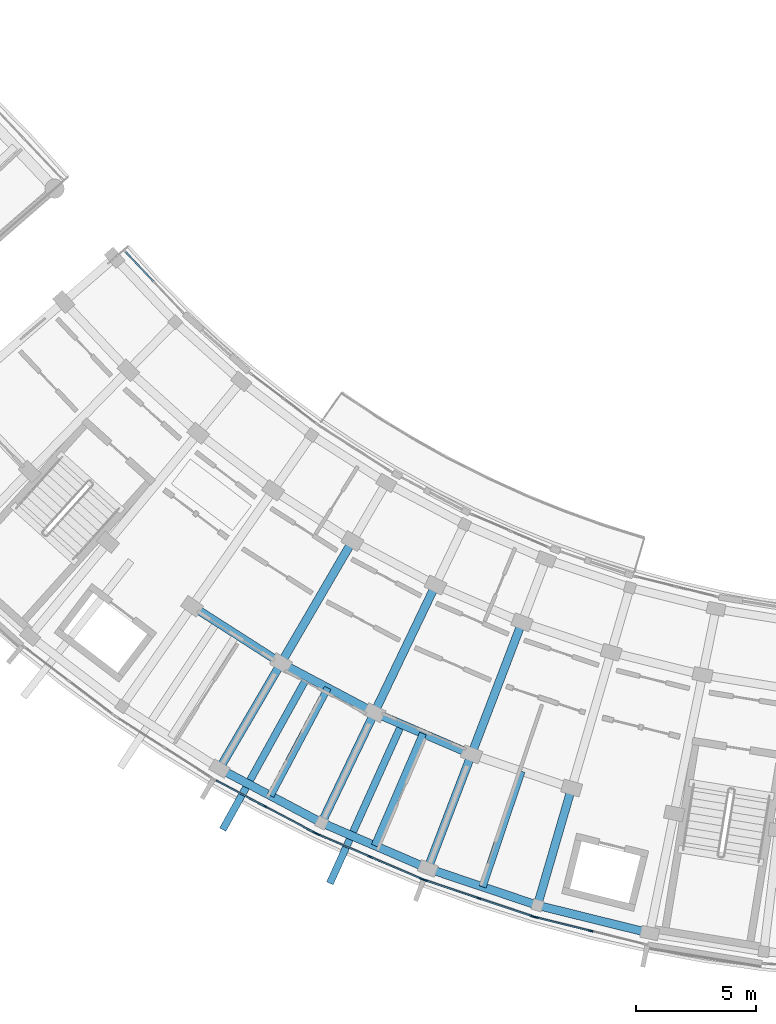
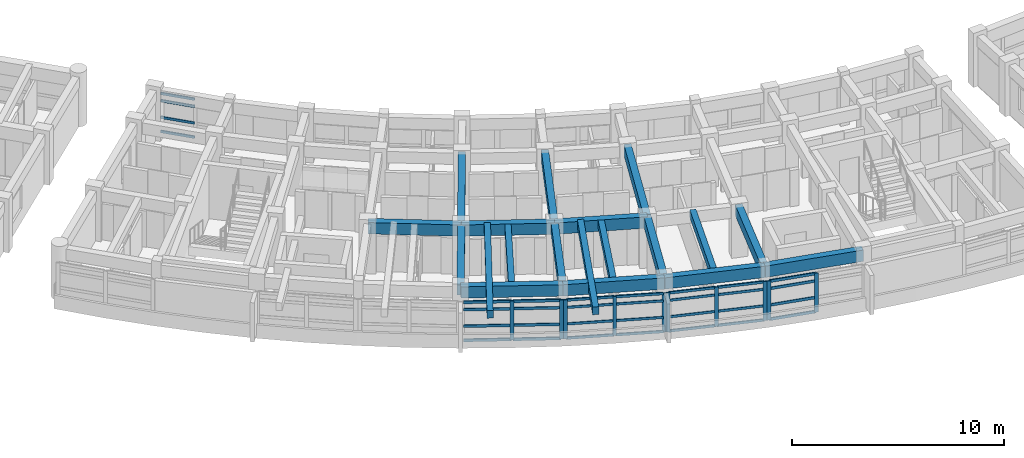
# One storey, part 11 of 56: 42 members, 19 beams, 5 elements without a shape of their own.
"""IFC4 building model written with IfcOpenShell, lengths in metres."""

from ifc_helpers import new_model, si_unit, direction, frame, origin, origin_2d, place, context, subcontext, project, spatial, rectangle, extrude, material, material_profile, profile_set, type_object, element, aggregate, save


model = new_model("IFC4")

# Units and contexts
model_context = context("Model", 3, precision=1e-05, world=origin(), true_north=direction((0.0, 1.0)))
body_context = subcontext(model_context, "Body", "Model", "MODEL_VIEW")
ifc_project = project(units=[si_unit("LENGTHUNIT", "METRE"), si_unit("AREAUNIT", "SQUARE_METRE"), si_unit("VOLUMEUNIT", "CUBIC_METRE"), si_unit("PLANEANGLEUNIT", "RADIAN"), si_unit("MASSUNIT", "GRAM", prefix="KILO")], contexts=[model_context])

# Site, building, storey
site_placement = place(None, origin())
site = spatial("IfcSite", under=ifc_project, at=site_placement, CompositionType="ELEMENT")
building_placement = place(site_placement, origin())
building = spatial("IfcBuilding", under=site, at=building_placement, Name="Zimvara Arc Housing Community", CompositionType="ELEMENT")
storey_placement = place(building_placement, frame((0.0, 0.0, 17.39990234375)))
storey = spatial("IfcBuildingStorey", under=building, at=storey_placement, Name="L05", CompositionType="ELEMENT", Elevation=17.39990234375)

# Beams
ifc_material_1 = material(Name="Concrete C40/50", Category="concrete")
ifc_material_profile_1 = material_profile(ifc_material_1, rectangle(XDim=0.300048828125, YDim=0.449951171875, at=origin_2d()), Name="RC 300x450")
ifc_profile_set_1 = profile_set([ifc_material_profile_1], Name="Concrete C40/50")
beam_type_1 = type_object("IfcBeamType", Name="BM-RC-300x450", PredefinedType="JOIST", material=ifc_profile_set_1)
for number, where, z_axis, x_axis, name in (
    (1, (100.793212890625, 62.37060546875, 2.64501953125), (-0.46853732736, -0.883443701019, 0.0), (0.883443701019, -0.46853732736, 0.0), "bm:blkC:L05:joist:b4"),
    (2, (104.751953125, 60.473876953125, 2.64501953125), (-0.394946561353, -0.918704094731, 0.0), (0.918704094731, -0.394946561353, 0.0), "bm:blkC:L05:joist:b5"),
    (3, (108.85205078125, 58.906494140625, 2.64501953125), (-0.318622196545, -0.947881794249, 0.0), (0.947881794249, -0.318622196545, 0.0), "bm:blkC:L05:joist:b6"),
):
    element("IfcBeam", number, at=place(storey_placement, frame(where, z_axis=z_axis, x_axis=x_axis)), inside=storey, type_object=beam_type_1, Name=name, PredefinedType="JOIST", context=body_context, shape_type="SweptSolid", body=[
        extrude(rectangle(XDim=0.300048828125, YDim=0.449951171875, at=origin_2d()), origin(), (0.0, 0.0, 1.0), 5.07568359375),
    ])
for number, where, z_axis, x_axis, name in (
    (4, (99.922119140625, 62.791748046875, 2.6650390625), (-0.4843274379, -0.874886811477, 0.0), (0.874886811477, -0.4843274379, 0.0), "bm:blkC:L05:cant_out:b4"),
    (5, (103.849365234375, 60.822509765625, 2.6650390625), (-0.411355676266, -0.91147490783, 0.0), (0.91147490783, -0.411355676266, 0.0), "bm:blkC:L05:cant_out:b5"),
):
    element("IfcBeam", number, at=place(storey_placement, frame(where, z_axis=z_axis, x_axis=x_axis)), inside=storey, type_object=beam_type_1, Name=name, PredefinedType="JOIST", context=body_context, shape_type="SweptSolid", body=[
        extrude(rectangle(XDim=0.300048828125, YDim=0.449951171875, at=origin_2d()), origin(), (0.0, 0.0, 1.0), 7.219970703125),
    ])
ifc_material_2 = material(Name="Concrete C40/50", Category="concrete")
ifc_material_profile_2 = material_profile(ifc_material_2, rectangle(XDim=0.35009765625, YDim=0.60009765625, at=origin_2d()), Name="RC 350x600")
ifc_profile_set_2 = profile_set([ifc_material_profile_2], Name="Concrete C40/50")
beam_type_2 = type_object("IfcBeamType", Name="BM-RC-350x600", PredefinedType="BEAM", material=ifc_profile_set_2)
beam_1_placement = place(storey_placement, frame((101.8173828125, 68.4775390625, 2.570068359375), z_axis=(-0.504237574462, -0.863564976421, 0.0), x_axis=(0.863564976421, -0.504237574462, 0.0)))
element("IfcBeam", 6, at=beam_1_placement, inside=storey, type_object=beam_type_2, Name="bm:blkC:L05:rad:b4:r12", PredefinedType="BEAM", context=body_context, shape_type="SweptSolid", body=[
    extrude(rectangle(XDim=0.35009765625, YDim=0.60009765625, at=origin_2d()), origin(), (0.0, 0.0, 1.0), 5.8798828125),
])
beam_2_placement = place(storey_placement, frame((98.8525390625, 63.39990234375, 2.570068359375), z_axis=(-0.504196701544, -0.863588840915, 0.0), x_axis=(0.863588840915, -0.504196701544, 0.0)))
element("IfcBeam", 7, at=beam_2_placement, inside=storey, type_object=beam_type_2, Name="bm:blkC:L05:rad:b4:r23", PredefinedType="BEAM", context=body_context, shape_type="SweptSolid", body=[
    extrude(rectangle(XDim=0.35009765625, YDim=0.60009765625, at=origin_2d()), origin(), (0.0, 0.0, 1.0), 5.079833984375),
])
beam_3_placement = place(storey_placement, frame((105.2744140625, 66.644287109375, 2.570068359375), z_axis=(-0.432053349188, -0.901848048983, 0.0), x_axis=(0.901848048983, -0.432053349188, 0.0)))
element("IfcBeam", 8, at=beam_3_placement, inside=storey, type_object=beam_type_2, Name="bm:blkC:L05:rad:b5:r12", PredefinedType="BEAM", context=body_context, shape_type="SweptSolid", body=[
    extrude(rectangle(XDim=0.35009765625, YDim=0.60009765625, at=origin_2d()), origin(), (0.0, 0.0, 1.0), 5.880126953125),
])
beam_4_placement = place(storey_placement, frame((102.73388671875, 61.34130859375, 2.570068359375), z_axis=(-0.432098194978, -0.901826563091, 0.0), x_axis=(0.901826563091, -0.432098194978, 0.0)))
element("IfcBeam", 9, at=beam_4_placement, inside=storey, type_object=beam_type_2, Name="bm:blkC:L05:rad:b5:r23", PredefinedType="BEAM", context=body_context, shape_type="SweptSolid", body=[
    extrude(rectangle(XDim=0.35009765625, YDim=0.60009765625, at=origin_2d()), origin(), (0.0, 0.0, 1.0), 5.080078125),
])
beam_5_placement = place(storey_placement, frame((108.869384765625, 65.098876953125, 2.570068359375), z_axis=(-0.357036247742, -0.934090529766, 0.0), x_axis=(0.934090529766, -0.357036247742, 0.0)))
element("IfcBeam", 10, at=beam_5_placement, inside=storey, type_object=beam_type_2, Name="bm:blkC:L05:rad:b6:r12", PredefinedType="BEAM", context=body_context, shape_type="SweptSolid", body=[
    extrude(rectangle(XDim=0.35009765625, YDim=0.60009765625, at=origin_2d()), origin(), (0.0, 0.0, 1.0), 5.8798828125),
])
for number, where, z_axis, x_axis, name in (
    (11, (106.77001953125, 59.6064453125, 2.570068359375), (-0.357078271386, -0.934074466038, 0.0), (0.934074466038, -0.357078271386, 0.0), "bm:blkC:L05:rad:b6:r23"),
    (12, (110.934326171875, 58.206787109375, 2.570068359375), (-0.279693649113, -0.960089299308, 0.0), (0.960089299308, -0.279693649113, 0.0), "bm:blkC:L05:rad:b7:r23"),
):
    element("IfcBeam", number, at=place(storey_placement, frame(where, z_axis=z_axis, x_axis=x_axis)), inside=storey, type_object=beam_type_2, Name=name, PredefinedType="BEAM", context=body_context, shape_type="SweptSolid", body=[
        extrude(rectangle(XDim=0.35009765625, YDim=0.60009765625, at=origin_2d()), origin(), (0.0, 0.0, 1.0), 5.080078125),
    ])
ifc_material_3 = material(Name="Concrete C40/50", Category="concrete")
ifc_material_profile_3 = material_profile(ifc_material_3, rectangle(XDim=0.35009765625, YDim=0.64990234375, at=origin_2d()), Name="RC 350x650")
ifc_profile_set_3 = profile_set([ifc_material_profile_3], Name="Concrete C40/50")
beam_type_3 = type_object("IfcBeamType", Name="BM-RC-350x650", PredefinedType="BEAM", material=ifc_profile_set_3)
beam_6_placement = place(storey_placement, frame((95.15234375, 65.76806640625, 2.545166015625), z_axis=(0.842267363538, -0.539060004376, 0.0), x_axis=(0.539060004376, 0.842267363538, 0.0)))
element("IfcBeam", 13, at=beam_6_placement, inside=storey, type_object=beam_type_3, Name="bm:blkC:L05:chord:r2:b3", PredefinedType="BEAM", context=body_context, shape_type="SweptSolid", body=[
    extrude(rectangle(XDim=0.35009765625, YDim=0.64990234375, at=origin_2d()), origin(), (0.0, 0.0, 1.0), 4.39306640625),
])
beam_7_placement = place(storey_placement, frame((98.8525390625, 63.39990234375, 2.545166015625), z_axis=(0.883433524437, -0.468556515162, 0.0), x_axis=(0.468556515162, 0.883433524437, 0.0)))
element("IfcBeam", 14, at=beam_7_placement, inside=storey, type_object=beam_type_3, Name="bm:blkC:L05:chord:r2:b4", PredefinedType="BEAM", context=body_context, shape_type="SweptSolid", body=[
    extrude(rectangle(XDim=0.35009765625, YDim=0.64990234375, at=origin_2d()), origin(), (0.0, 0.0, 1.0), 4.3935546875),
])
beam_8_placement = place(storey_placement, frame((102.73388671875, 61.34130859375, 2.545166015625), z_axis=(0.918724840088, -0.394898301093, 0.0), x_axis=(0.394898301093, 0.918724840088, 0.0)))
element("IfcBeam", 15, at=beam_8_placement, inside=storey, type_object=beam_type_3, Name="bm:blkC:L05:chord:r2:b5", PredefinedType="BEAM", context=body_context, shape_type="SweptSolid", body=[
    extrude(rectangle(XDim=0.35009765625, YDim=0.64990234375, at=origin_2d()), origin(), (0.0, 0.0, 1.0), 4.393310546875),
])
for number, where, z_axis, x_axis, name in (
    (16, (96.291259765625, 59.012939453125, 2.545166015625), (0.883424523434, -0.468573485587, 0.0), (0.468573485587, 0.883424523434, 0.0), "bm:blkC:L05:chord:r3:b4"),
    (17, (100.538818359375, 56.760009765625, 2.545166015625), (0.918724276228, -0.394899612901, 0.0), (0.394899612901, 0.918724276228, 0.0), "bm:blkC:L05:chord:r3:b5"),
):
    element("IfcBeam", number, at=place(storey_placement, frame(where, z_axis=z_axis, x_axis=x_axis)), inside=storey, type_object=beam_type_3, Name=name, PredefinedType="BEAM", context=body_context, shape_type="SweptSolid", body=[
        extrude(rectangle(XDim=0.35009765625, YDim=0.64990234375, at=origin_2d()), origin(), (0.0, 0.0, 1.0), 4.80810546875),
    ])
beam_9_placement = place(storey_placement, frame((104.9560546875, 54.861328125, 2.545166015625), z_axis=(0.947877948153, -0.31863363822, 0.0), x_axis=(0.31863363822, 0.947877948153, 0.0)))
element("IfcBeam", 18, at=beam_9_placement, inside=storey, type_object=beam_type_3, Name="bm:blkC:L05:chord:r3:b6", PredefinedType="BEAM", context=body_context, shape_type="SweptSolid", body=[
    extrude(rectangle(XDim=0.35009765625, YDim=0.64990234375, at=origin_2d()), origin(), (0.0, 0.0, 1.0), 4.807861328125),
])
beam_10_placement = place(storey_placement, frame((109.513427734375, 53.329345703125, 2.545166015625), z_axis=(0.970719165502, -0.240217196986, 0.0), x_axis=(0.240217196986, 0.970719165502, 0.0)))
element("IfcBeam", 19, at=beam_10_placement, inside=storey, type_object=beam_type_3, Name="bm:blkC:L05:chord:r3:b7", PredefinedType="BEAM", context=body_context, shape_type="SweptSolid", body=[
    extrude(rectangle(XDim=0.35009765625, YDim=0.64990234375, at=origin_2d()), origin(), (0.0, 0.0, 1.0), 4.808349609375),
])

# Curtain wall, members
ifc_material_4 = material(Name="Anodised Aluminium AW-6063", Category="aluminium")
curtain_wall_type_1 = type_object("IfcCurtainWallType", Name="CW-SYS-06", PredefinedType="USERDEFINED", material=ifc_material_4)
curtain_wall_1_placement = place(storey_placement, origin())
curtain_wall_1 = element("IfcCurtainWall", 20, at=curtain_wall_1_placement, inside=storey, type_object=curtain_wall_type_1, Name="cw:blkC:L05:out:b5", ObjectType="CURTAIN WALL", PredefinedType="USERDEFINED")
ifc_material_5 = material(Name="Anodised Aluminium AW-6063", Category="aluminium")
ifc_material_profile_4 = material_profile(ifc_material_5, rectangle(XDim=0.06494140625, YDim=0.179931640625, at=origin_2d()), Name="ALU 65x180")
ifc_profile_set_4 = profile_set([ifc_material_profile_4], Name="Anodised Aluminium AW-6063")
member_type_1 = type_object("IfcMemberType", Name="CWM-65x150", PredefinedType="MULLION", material=ifc_profile_set_4)
member_1_placement = place(storey_placement, frame((100.40771484375, 56.272705078125, 0.0), z_axis=(0.0, 0.0, 1.0), x_axis=(0.394904211998, 0.918722299363, 0.0)))
member_1 = element("IfcMember", 21, at=member_1_placement, type_object=member_type_1, Name="CW06 mullion 1", PredefinedType="MULLION", context=body_context, shape_type="SweptSolid", body=[
    extrude(rectangle(XDim=0.06494140625, YDim=0.179931640625, at=origin_2d()), origin(), (0.0, 0.0, 1.0), 2.25),
])
member_2_placement = place(storey_placement, frame((102.550048828125, 55.351806640625, 0.0), z_axis=(0.0, 0.0, 1.0), x_axis=(0.394904211998, 0.918722299363, 0.0)))
member_2 = element("IfcMember", 22, at=member_2_placement, type_object=member_type_1, Name="CW06 mullion 2", PredefinedType="MULLION", context=body_context, shape_type="SweptSolid", body=[
    extrude(rectangle(XDim=0.06494140625, YDim=0.179931640625, at=origin_2d()), origin(), (0.0, 0.0, 1.0), 2.25),
])
member_3_placement = place(storey_placement, frame((104.692626953125, 54.430908203125, 0.0), z_axis=(0.0, 0.0, 1.0), x_axis=(0.394904211998, 0.918722299363, 0.0)))
member_3 = element("IfcMember", 23, at=member_3_placement, type_object=member_type_1, Name="CW06 mullion 3", PredefinedType="MULLION", context=body_context, shape_type="SweptSolid", body=[
    extrude(rectangle(XDim=0.06494140625, YDim=0.179931640625, at=origin_2d()), origin(), (0.0, 0.0, 1.0), 2.25),
])

ifc_material_6 = material(Name="Anodised Aluminium AW-6063", Category="aluminium")
curtain_wall_type_2 = type_object("IfcCurtainWallType", Name="CW-SYS-08", PredefinedType="USERDEFINED", material=ifc_material_6)
curtain_wall_2_placement = place(storey_placement, origin())
curtain_wall_2 = element("IfcCurtainWall", 24, at=curtain_wall_2_placement, inside=storey, type_object=curtain_wall_type_2, Name="cw:blkC:L05:out:b6", ObjectType="CURTAIN WALL", PredefinedType="USERDEFINED")
member_4_placement = place(storey_placement, frame((104.865234375, 54.36474609375, 0.0), z_axis=(0.0, 0.0, 1.0), x_axis=(0.318628583921, 0.947879647164, 0.0)))
member_4 = element("IfcMember", 25, at=member_4_placement, type_object=member_type_1, Name="CW08 mullion 1", PredefinedType="MULLION", context=body_context, shape_type="SweptSolid", body=[
    extrude(rectangle(XDim=0.06494140625, YDim=0.179931640625, at=origin_2d()), origin(), (0.0, 0.0, 1.0), 2.25),
])
member_5_placement = place(storey_placement, frame((107.07568359375, 53.621826171875, 0.0), z_axis=(0.0, 0.0, 1.0), x_axis=(0.318628583921, 0.947879647164, 0.0)))
member_5 = element("IfcMember", 26, at=member_5_placement, type_object=member_type_1, Name="CW08 mullion 2", PredefinedType="MULLION", context=body_context, shape_type="SweptSolid", body=[
    extrude(rectangle(XDim=0.06494140625, YDim=0.179931640625, at=origin_2d()), origin(), (0.0, 0.0, 1.0), 2.25),
])
member_6_placement = place(storey_placement, frame((109.2861328125, 52.87890625, 0.0), z_axis=(0.0, 0.0, 1.0), x_axis=(0.318628583921, 0.947879647164, 0.0)))
member_6 = element("IfcMember", 27, at=member_6_placement, type_object=member_type_1, Name="CW08 mullion 3", PredefinedType="MULLION", context=body_context, shape_type="SweptSolid", body=[
    extrude(rectangle(XDim=0.06494140625, YDim=0.179931640625, at=origin_2d()), origin(), (0.0, 0.0, 1.0), 2.25),
])

ifc_material_7 = material(Name="Anodised Aluminium AW-6063", Category="aluminium")
curtain_wall_type_3 = type_object("IfcCurtainWallType", Name="CW-SYS-05", PredefinedType="USERDEFINED", material=ifc_material_7)
curtain_wall_3_placement = place(storey_placement, origin())
curtain_wall_3 = element("IfcCurtainWall", 28, at=curtain_wall_3_placement, inside=storey, type_object=curtain_wall_type_3, Name="cw:blkC:L05:out:b4", ObjectType="CURTAIN WALL", PredefinedType="USERDEFINED")
ifc_material_8 = material(Name="Anodised Aluminium AW-6063", Category="aluminium")
ifc_material_profile_5 = material_profile(ifc_material_8, rectangle(XDim=0.06494140625, YDim=0.195068359375, at=origin_2d()), Name="ALU 65x195")
ifc_profile_set_5 = profile_set([ifc_material_profile_5], Name="Anodised Aluminium AW-6063")
member_type_2 = type_object("IfcMemberType", Name="CWM-65x180", PredefinedType="MULLION", material=ifc_profile_set_5)
member_7_placement = place(storey_placement, frame((98.180908203125, 57.445068359375, 0.0), z_axis=(0.0, 0.0, 1.0), x_axis=(0.468546917761, 0.883438614651, 0.0)))
member_7 = element("IfcMember", 29, at=member_7_placement, type_object=member_type_2, Name="CW05 mullion 2", PredefinedType="MULLION", context=body_context, shape_type="SweptSolid", body=[
    extrude(rectangle(XDim=0.06494140625, YDim=0.195068359375, at=origin_2d()), origin(), (0.0, 0.0, 1.0), 2.25),
])
member_8_placement = place(storey_placement, frame((100.240966796875, 56.3525390625, 0.0), z_axis=(0.0, 0.0, 1.0), x_axis=(0.468546917761, 0.883438614651, 0.0)))
member_8 = element("IfcMember", 30, at=member_8_placement, type_object=member_type_2, Name="CW05 mullion 3", PredefinedType="MULLION", context=body_context, shape_type="SweptSolid", body=[
    extrude(rectangle(XDim=0.06494140625, YDim=0.195068359375, at=origin_2d()), origin(), (0.0, 0.0, 1.0), 2.25),
])

ifc_material_9 = material(Name="Anodised Aluminium AW-6063", Category="aluminium")
curtain_wall_type_4 = type_object("IfcCurtainWallType", Name="CW-SYS-01", PredefinedType="USERDEFINED", material=ifc_material_9)
curtain_wall_4_placement = place(storey_placement, origin())
curtain_wall_4 = element("IfcCurtainWall", 31, at=curtain_wall_4_placement, inside=storey, type_object=curtain_wall_type_4, Name="cw:blkC:L05:out:b7", ObjectType="CURTAIN WALL", PredefinedType="USERDEFINED")
member_9_placement = place(storey_placement, frame((109.46337890625, 52.8271484375, 0.0), z_axis=(0.0, 0.0, 1.0), x_axis=(0.240229711131, 0.970716068627, 0.0)))
member_9 = element("IfcMember", 32, at=member_9_placement, type_object=member_type_2, Name="CW01 mullion 1", PredefinedType="MULLION", context=body_context, shape_type="SweptSolid", body=[
    extrude(rectangle(XDim=0.06494140625, YDim=0.195068359375, at=origin_2d()), origin(), (0.0, 0.0, 1.0), 2.25),
])
member_10_placement = place(storey_placement, frame((111.72705078125, 52.266845703125, 0.0), z_axis=(0.0, 0.0, 1.0), x_axis=(0.240229711131, 0.970716068627, 0.0)))
member_10 = element("IfcMember", 33, at=member_10_placement, type_object=member_type_2, Name="CW01 mullion 2", PredefinedType="MULLION", context=body_context, shape_type="SweptSolid", body=[
    extrude(rectangle(XDim=0.06494140625, YDim=0.195068359375, at=origin_2d()), origin(), (0.0, 0.0, 1.0), 2.25),
])

curtain_wall_5_placement = place(storey_placement, origin())
curtain_wall_5 = element("IfcCurtainWall", 34, at=curtain_wall_5_placement, inside=storey, type_object=curtain_wall_type_2, Name="cw:blkC:L05:in:b0", ObjectType="CURTAIN WALL", PredefinedType="USERDEFINED")
ifc_material_10 = material(Name="Anodised Aluminium AW-6063", Category="aluminium")
ifc_material_profile_6 = material_profile(ifc_material_10, rectangle(XDim=0.06494140625, YDim=0.139892578125, at=origin_2d()), Name="ALU 65x140")
ifc_profile_set_6 = profile_set([ifc_material_profile_6], Name="Anodised Aluminium AW-6063")
member_type_3 = type_object("IfcMemberType", Name="CWT-65x120", PredefinedType="USERDEFINED", material=ifc_profile_set_6)
member_11_placement = place(storey_placement, frame((92.390625, 80.495849609375, 0.03271484375), z_axis=(0.686347817597, -0.727273451516, 0.0), x_axis=(0.727273451516, 0.686347817597, 0.0)))
member_11 = element("IfcMember", 35, at=member_11_placement, type_object=member_type_3, Name="CW08 transom 1.1", ObjectType="TRANSOM", PredefinedType="USERDEFINED", context=body_context, shape_type="SweptSolid", body=[
    extrude(rectangle(XDim=0.06494140625, YDim=0.139892578125, at=origin_2d()), origin(), (0.0, 0.0, 1.0), 1.664306640625),
])
member_12_placement = place(storey_placement, frame((92.390625, 80.495849609375, 0.85009765625), z_axis=(0.686347817597, -0.727273451516, 0.0), x_axis=(0.727273451516, 0.686347817597, 0.0)))
member_12 = element("IfcMember", 36, at=member_12_placement, type_object=member_type_3, Name="CW08 transom 1.2", ObjectType="TRANSOM", PredefinedType="USERDEFINED", context=body_context, shape_type="SweptSolid", body=[
    extrude(rectangle(XDim=0.06494140625, YDim=0.139892578125, at=origin_2d()), origin(), (0.0, 0.0, 1.0), 1.664306640625),
])
member_13_placement = place(storey_placement, frame((92.390625, 80.495849609375, 1.800048828125), z_axis=(0.686347817597, -0.727273451516, 0.0), x_axis=(0.727273451516, 0.686347817597, 0.0)))
member_13 = element("IfcMember", 37, at=member_13_placement, type_object=member_type_3, Name="CW08 transom 1.3", ObjectType="TRANSOM", PredefinedType="USERDEFINED", context=body_context, shape_type="SweptSolid", body=[
    extrude(rectangle(XDim=0.06494140625, YDim=0.139892578125, at=origin_2d()), origin(), (0.0, 0.0, 1.0), 1.664306640625),
])
member_14_placement = place(storey_placement, frame((92.390625, 80.495849609375, 2.217529296875), z_axis=(0.686347817597, -0.727273451516, 0.0), x_axis=(0.727273451516, 0.686347817597, 0.0)))
member_14 = element("IfcMember", 38, at=member_14_placement, type_object=member_type_3, Name="CW08 transom 1.4", ObjectType="TRANSOM", PredefinedType="USERDEFINED", context=body_context, shape_type="SweptSolid", body=[
    extrude(rectangle(XDim=0.06494140625, YDim=0.139892578125, at=origin_2d()), origin(), (0.0, 0.0, 1.0), 1.664306640625),
])
aggregate(curtain_wall_5, [member_11, member_12, member_13, member_14])

# Member
member_15_placement = place(storey_placement, frame((100.4375, 56.259765625, 0.03271484375), z_axis=(0.918721157939, -0.394906867444, 0.0), x_axis=(0.394906867444, 0.918721157939, 0.0)))
member_15 = element("IfcMember", 39, at=member_15_placement, type_object=member_type_3, Name="CW06 transom 1.1", ObjectType="TRANSOM", PredefinedType="USERDEFINED", context=body_context, shape_type="SweptSolid", body=[
    extrude(rectangle(XDim=0.06494140625, YDim=0.139892578125, at=origin_2d()), origin(), (0.0, 0.0, 1.0), 2.26708984375),
])

member_16_placement = place(storey_placement, frame((100.4375, 56.259765625, 0.85009765625), z_axis=(0.918721157939, -0.394906867444, 0.0), x_axis=(0.394906867444, 0.918721157939, 0.0)))
member_16 = element("IfcMember", 40, at=member_16_placement, type_object=member_type_3, Name="CW06 transom 1.2", ObjectType="TRANSOM", PredefinedType="USERDEFINED", context=body_context, shape_type="SweptSolid", body=[
    extrude(rectangle(XDim=0.06494140625, YDim=0.139892578125, at=origin_2d()), origin(), (0.0, 0.0, 1.0), 2.26708984375),
])

member_17_placement = place(storey_placement, frame((100.4375, 56.259765625, 1.800048828125), z_axis=(0.918721157939, -0.394906867444, 0.0), x_axis=(0.394906867444, 0.918721157939, 0.0)))
member_17 = element("IfcMember", 41, at=member_17_placement, type_object=member_type_3, Name="CW06 transom 1.3", ObjectType="TRANSOM", PredefinedType="USERDEFINED", context=body_context, shape_type="SweptSolid", body=[
    extrude(rectangle(XDim=0.06494140625, YDim=0.139892578125, at=origin_2d()), origin(), (0.0, 0.0, 1.0), 2.26708984375),
])

member_18_placement = place(storey_placement, frame((100.4375, 56.259765625, 2.217529296875), z_axis=(0.918721157939, -0.394906867444, 0.0), x_axis=(0.394906867444, 0.918721157939, 0.0)))
member_18 = element("IfcMember", 42, at=member_18_placement, type_object=member_type_3, Name="CW06 transom 1.4", ObjectType="TRANSOM", PredefinedType="USERDEFINED", context=body_context, shape_type="SweptSolid", body=[
    extrude(rectangle(XDim=0.06494140625, YDim=0.139892578125, at=origin_2d()), origin(), (0.0, 0.0, 1.0), 2.26708984375),
])

member_19_placement = place(storey_placement, frame((102.580078125, 55.3388671875, 0.03271484375), z_axis=(0.918704360712, -0.394945942641, 0.0), x_axis=(0.394945942641, 0.918704360712, 0.0)))
member_19 = element("IfcMember", 43, at=member_19_placement, type_object=member_type_3, Name="CW06 transom 2.1", ObjectType="TRANSOM", PredefinedType="USERDEFINED", context=body_context, shape_type="SweptSolid", body=[
    extrude(rectangle(XDim=0.06494140625, YDim=0.139892578125, at=origin_2d()), origin(), (0.0, 0.0, 1.0), 2.266845703125),
])

member_20_placement = place(storey_placement, frame((102.580078125, 55.3388671875, 0.85009765625), z_axis=(0.918704360712, -0.394945942641, 0.0), x_axis=(0.394945942641, 0.918704360712, 0.0)))
member_20 = element("IfcMember", 44, at=member_20_placement, type_object=member_type_3, Name="CW06 transom 2.2", ObjectType="TRANSOM", PredefinedType="USERDEFINED", context=body_context, shape_type="SweptSolid", body=[
    extrude(rectangle(XDim=0.06494140625, YDim=0.139892578125, at=origin_2d()), origin(), (0.0, 0.0, 1.0), 2.266845703125),
])

member_21_placement = place(storey_placement, frame((102.580078125, 55.3388671875, 1.800048828125), z_axis=(0.918704360712, -0.394945942641, 0.0), x_axis=(0.394945942641, 0.918704360712, 0.0)))
member_21 = element("IfcMember", 45, at=member_21_placement, type_object=member_type_3, Name="CW06 transom 2.3", ObjectType="TRANSOM", PredefinedType="USERDEFINED", context=body_context, shape_type="SweptSolid", body=[
    extrude(rectangle(XDim=0.06494140625, YDim=0.139892578125, at=origin_2d()), origin(), (0.0, 0.0, 1.0), 2.266845703125),
])

member_22_placement = place(storey_placement, frame((102.580078125, 55.3388671875, 2.217529296875), z_axis=(0.918704360712, -0.394945942641, 0.0), x_axis=(0.394945942641, 0.918704360712, 0.0)))
member_22 = element("IfcMember", 46, at=member_22_placement, type_object=member_type_3, Name="CW06 transom 2.4", ObjectType="TRANSOM", PredefinedType="USERDEFINED", context=body_context, shape_type="SweptSolid", body=[
    extrude(rectangle(XDim=0.06494140625, YDim=0.139892578125, at=origin_2d()), origin(), (0.0, 0.0, 1.0), 2.266845703125),
])

aggregate(curtain_wall_1, [member_1, member_2, member_3, member_15, member_16, member_17, member_18, member_19, member_20, member_21, member_22])

member_23_placement = place(storey_placement, frame((104.89599609375, 54.3544921875, 0.03271484375), z_axis=(0.947872541471, -0.318649721678, 0.0), x_axis=(0.318649721678, 0.947872541471, 0.0)))
member_23 = element("IfcMember", 47, at=member_23_placement, type_object=member_type_3, Name="CW08 transom 1.1", ObjectType="TRANSOM", PredefinedType="USERDEFINED", context=body_context, shape_type="SweptSolid", body=[
    extrude(rectangle(XDim=0.06494140625, YDim=0.139892578125, at=origin_2d()), origin(), (0.0, 0.0, 1.0), 2.26708984375),
])

member_24_placement = place(storey_placement, frame((104.89599609375, 54.3544921875, 0.85009765625), z_axis=(0.947872541471, -0.318649721678, 0.0), x_axis=(0.318649721678, 0.947872541471, 0.0)))
member_24 = element("IfcMember", 48, at=member_24_placement, type_object=member_type_3, Name="CW08 transom 1.2", ObjectType="TRANSOM", PredefinedType="USERDEFINED", context=body_context, shape_type="SweptSolid", body=[
    extrude(rectangle(XDim=0.06494140625, YDim=0.139892578125, at=origin_2d()), origin(), (0.0, 0.0, 1.0), 2.26708984375),
])

member_25_placement = place(storey_placement, frame((104.89599609375, 54.3544921875, 1.800048828125), z_axis=(0.947872541471, -0.318649721678, 0.0), x_axis=(0.318649721678, 0.947872541471, 0.0)))
member_25 = element("IfcMember", 49, at=member_25_placement, type_object=member_type_3, Name="CW08 transom 1.3", ObjectType="TRANSOM", PredefinedType="USERDEFINED", context=body_context, shape_type="SweptSolid", body=[
    extrude(rectangle(XDim=0.06494140625, YDim=0.139892578125, at=origin_2d()), origin(), (0.0, 0.0, 1.0), 2.26708984375),
])

member_26_placement = place(storey_placement, frame((104.89599609375, 54.3544921875, 2.217529296875), z_axis=(0.947872541471, -0.318649721678, 0.0), x_axis=(0.318649721678, 0.947872541471, 0.0)))
member_26 = element("IfcMember", 50, at=member_26_placement, type_object=member_type_3, Name="CW08 transom 1.4", ObjectType="TRANSOM", PredefinedType="USERDEFINED", context=body_context, shape_type="SweptSolid", body=[
    extrude(rectangle(XDim=0.06494140625, YDim=0.139892578125, at=origin_2d()), origin(), (0.0, 0.0, 1.0), 2.26708984375),
])

member_27_placement = place(storey_placement, frame((107.1064453125, 53.611572265625, 0.03271484375), z_axis=(0.947861605379, -0.318682250916, 0.0), x_axis=(0.318682250916, 0.947861605379, 0.0)))
member_27 = element("IfcMember", 51, at=member_27_placement, type_object=member_type_3, Name="CW08 transom 2.1", ObjectType="TRANSOM", PredefinedType="USERDEFINED", context=body_context, shape_type="SweptSolid", body=[
    extrude(rectangle(XDim=0.06494140625, YDim=0.139892578125, at=origin_2d()), origin(), (0.0, 0.0, 1.0), 2.266845703125),
])

member_28_placement = place(storey_placement, frame((107.1064453125, 53.611572265625, 0.85009765625), z_axis=(0.947861605379, -0.318682250916, 0.0), x_axis=(0.318682250916, 0.947861605379, 0.0)))
member_28 = element("IfcMember", 52, at=member_28_placement, type_object=member_type_3, Name="CW08 transom 2.2", ObjectType="TRANSOM", PredefinedType="USERDEFINED", context=body_context, shape_type="SweptSolid", body=[
    extrude(rectangle(XDim=0.06494140625, YDim=0.139892578125, at=origin_2d()), origin(), (0.0, 0.0, 1.0), 2.266845703125),
])

member_29_placement = place(storey_placement, frame((107.1064453125, 53.611572265625, 1.800048828125), z_axis=(0.947861605379, -0.318682250916, 0.0), x_axis=(0.318682250916, 0.947861605379, 0.0)))
member_29 = element("IfcMember", 53, at=member_29_placement, type_object=member_type_3, Name="CW08 transom 2.3", ObjectType="TRANSOM", PredefinedType="USERDEFINED", context=body_context, shape_type="SweptSolid", body=[
    extrude(rectangle(XDim=0.06494140625, YDim=0.139892578125, at=origin_2d()), origin(), (0.0, 0.0, 1.0), 2.266845703125),
])

member_30_placement = place(storey_placement, frame((107.1064453125, 53.611572265625, 2.217529296875), z_axis=(0.947861605379, -0.318682250916, 0.0), x_axis=(0.318682250916, 0.947861605379, 0.0)))
member_30 = element("IfcMember", 54, at=member_30_placement, type_object=member_type_3, Name="CW08 transom 2.4", ObjectType="TRANSOM", PredefinedType="USERDEFINED", context=body_context, shape_type="SweptSolid", body=[
    extrude(rectangle(XDim=0.06494140625, YDim=0.139892578125, at=origin_2d()), origin(), (0.0, 0.0, 1.0), 2.266845703125),
])

aggregate(curtain_wall_2, [member_4, member_5, member_6, member_23, member_24, member_25, member_26, member_27, member_28, member_29, member_30])

ifc_material_11 = material(Name="Anodised Aluminium AW-6063", Category="aluminium")
ifc_material_profile_7 = material_profile(ifc_material_11, rectangle(XDim=0.06494140625, YDim=0.155029296875, at=origin_2d()), Name="ALU 65x155")
ifc_profile_set_7 = profile_set([ifc_material_profile_7], Name="Anodised Aluminium AW-6063")
member_type_4 = type_object("IfcMemberType", Name="CWT-65x140", PredefinedType="USERDEFINED", material=ifc_profile_set_7)
member_31_placement = place(storey_placement, frame((96.1494140625, 58.5224609375, 0.03271484375), z_axis=(0.883465479137, -0.468496261642, 0.0), x_axis=(0.468496261642, 0.883465479137, 0.0)))
member_31 = element("IfcMember", 55, at=member_31_placement, type_object=member_type_4, Name="CW05 transom 1.1", ObjectType="TRANSOM", PredefinedType="USERDEFINED", context=body_context, shape_type="SweptSolid", body=[
    extrude(rectangle(XDim=0.06494140625, YDim=0.155029296875, at=origin_2d()), origin(), (0.0, 0.0, 1.0), 2.266845703125),
])

member_32_placement = place(storey_placement, frame((96.1494140625, 58.5224609375, 0.85009765625), z_axis=(0.883465479137, -0.468496261642, 0.0), x_axis=(0.468496261642, 0.883465479137, 0.0)))
member_32 = element("IfcMember", 56, at=member_32_placement, type_object=member_type_4, Name="CW05 transom 1.2", ObjectType="TRANSOM", PredefinedType="USERDEFINED", context=body_context, shape_type="SweptSolid", body=[
    extrude(rectangle(XDim=0.06494140625, YDim=0.155029296875, at=origin_2d()), origin(), (0.0, 0.0, 1.0), 2.266845703125),
])

member_33_placement = place(storey_placement, frame((96.1494140625, 58.5224609375, 1.800048828125), z_axis=(0.883465479137, -0.468496261642, 0.0), x_axis=(0.468496261642, 0.883465479137, 0.0)))
member_33 = element("IfcMember", 57, at=member_33_placement, type_object=member_type_4, Name="CW05 transom 1.3", ObjectType="TRANSOM", PredefinedType="USERDEFINED", context=body_context, shape_type="SweptSolid", body=[
    extrude(rectangle(XDim=0.06494140625, YDim=0.155029296875, at=origin_2d()), origin(), (0.0, 0.0, 1.0), 2.266845703125),
])

member_34_placement = place(storey_placement, frame((96.1494140625, 58.5224609375, 2.217529296875), z_axis=(0.883465479137, -0.468496261642, 0.0), x_axis=(0.468496261642, 0.883465479137, 0.0)))
member_34 = element("IfcMember", 58, at=member_34_placement, type_object=member_type_4, Name="CW05 transom 1.4", ObjectType="TRANSOM", PredefinedType="USERDEFINED", context=body_context, shape_type="SweptSolid", body=[
    extrude(rectangle(XDim=0.06494140625, YDim=0.155029296875, at=origin_2d()), origin(), (0.0, 0.0, 1.0), 2.266845703125),
])

member_35_placement = place(storey_placement, frame((98.209716796875, 57.429931640625, 0.03271484375), z_axis=(0.883420900208, -0.468580316568, 0.0), x_axis=(0.468580316568, 0.883420900208, 0.0)))
member_35 = element("IfcMember", 59, at=member_35_placement, type_object=member_type_4, Name="CW05 transom 2.1", ObjectType="TRANSOM", PredefinedType="USERDEFINED", context=body_context, shape_type="SweptSolid", body=[
    extrude(rectangle(XDim=0.06494140625, YDim=0.155029296875, at=origin_2d()), origin(), (0.0, 0.0, 1.0), 2.266845703125),
])

member_36_placement = place(storey_placement, frame((98.209716796875, 57.429931640625, 0.85009765625), z_axis=(0.883420900208, -0.468580316568, 0.0), x_axis=(0.468580316568, 0.883420900208, 0.0)))
member_36 = element("IfcMember", 60, at=member_36_placement, type_object=member_type_4, Name="CW05 transom 2.2", ObjectType="TRANSOM", PredefinedType="USERDEFINED", context=body_context, shape_type="SweptSolid", body=[
    extrude(rectangle(XDim=0.06494140625, YDim=0.155029296875, at=origin_2d()), origin(), (0.0, 0.0, 1.0), 2.266845703125),
])

member_37_placement = place(storey_placement, frame((98.209716796875, 57.429931640625, 1.800048828125), z_axis=(0.883420900208, -0.468580316568, 0.0), x_axis=(0.468580316568, 0.883420900208, 0.0)))
member_37 = element("IfcMember", 61, at=member_37_placement, type_object=member_type_4, Name="CW05 transom 2.3", ObjectType="TRANSOM", PredefinedType="USERDEFINED", context=body_context, shape_type="SweptSolid", body=[
    extrude(rectangle(XDim=0.06494140625, YDim=0.155029296875, at=origin_2d()), origin(), (0.0, 0.0, 1.0), 2.266845703125),
])

member_38_placement = place(storey_placement, frame((98.209716796875, 57.429931640625, 2.217529296875), z_axis=(0.883420900208, -0.468580316568, 0.0), x_axis=(0.468580316568, 0.883420900208, 0.0)))
member_38 = element("IfcMember", 62, at=member_38_placement, type_object=member_type_4, Name="CW05 transom 2.4", ObjectType="TRANSOM", PredefinedType="USERDEFINED", context=body_context, shape_type="SweptSolid", body=[
    extrude(rectangle(XDim=0.06494140625, YDim=0.155029296875, at=origin_2d()), origin(), (0.0, 0.0, 1.0), 2.266845703125),
])

aggregate(curtain_wall_3, [member_7, member_8, member_31, member_32, member_33, member_34, member_35, member_36, member_37, member_38])

member_39_placement = place(storey_placement, frame((109.4951171875, 52.8193359375, 0.03271484375), z_axis=(0.970703721793, -0.240279596507, 0.0), x_axis=(0.240279596507, 0.970703721793, 0.0)))
member_39 = element("IfcMember", 63, at=member_39_placement, type_object=member_type_4, Name="CW01 transom 1.1", ObjectType="TRANSOM", PredefinedType="USERDEFINED", context=body_context, shape_type="SweptSolid", body=[
    extrude(rectangle(XDim=0.06494140625, YDim=0.155029296875, at=origin_2d()), origin(), (0.0, 0.0, 1.0), 2.266845703125),
])

member_40_placement = place(storey_placement, frame((109.4951171875, 52.8193359375, 0.85009765625), z_axis=(0.970703721793, -0.240279596507, 0.0), x_axis=(0.240279596507, 0.970703721793, 0.0)))
member_40 = element("IfcMember", 64, at=member_40_placement, type_object=member_type_4, Name="CW01 transom 1.2", ObjectType="TRANSOM", PredefinedType="USERDEFINED", context=body_context, shape_type="SweptSolid", body=[
    extrude(rectangle(XDim=0.06494140625, YDim=0.155029296875, at=origin_2d()), origin(), (0.0, 0.0, 1.0), 2.266845703125),
])

member_41_placement = place(storey_placement, frame((109.4951171875, 52.8193359375, 1.800048828125), z_axis=(0.970703721793, -0.240279596507, 0.0), x_axis=(0.240279596507, 0.970703721793, 0.0)))
member_41 = element("IfcMember", 65, at=member_41_placement, type_object=member_type_4, Name="CW01 transom 1.3", ObjectType="TRANSOM", PredefinedType="USERDEFINED", context=body_context, shape_type="SweptSolid", body=[
    extrude(rectangle(XDim=0.06494140625, YDim=0.155029296875, at=origin_2d()), origin(), (0.0, 0.0, 1.0), 2.266845703125),
])

member_42_placement = place(storey_placement, frame((109.4951171875, 52.8193359375, 2.217529296875), z_axis=(0.970703721793, -0.240279596507, 0.0), x_axis=(0.240279596507, 0.970703721793, 0.0)))
member_42 = element("IfcMember", 66, at=member_42_placement, type_object=member_type_4, Name="CW01 transom 1.4", ObjectType="TRANSOM", PredefinedType="USERDEFINED", context=body_context, shape_type="SweptSolid", body=[
    extrude(rectangle(XDim=0.06494140625, YDim=0.155029296875, at=origin_2d()), origin(), (0.0, 0.0, 1.0), 2.266845703125),
])

aggregate(curtain_wall_4, [member_9, member_10, member_39, member_40, member_41, member_42])

save(model, "model.ifc")
